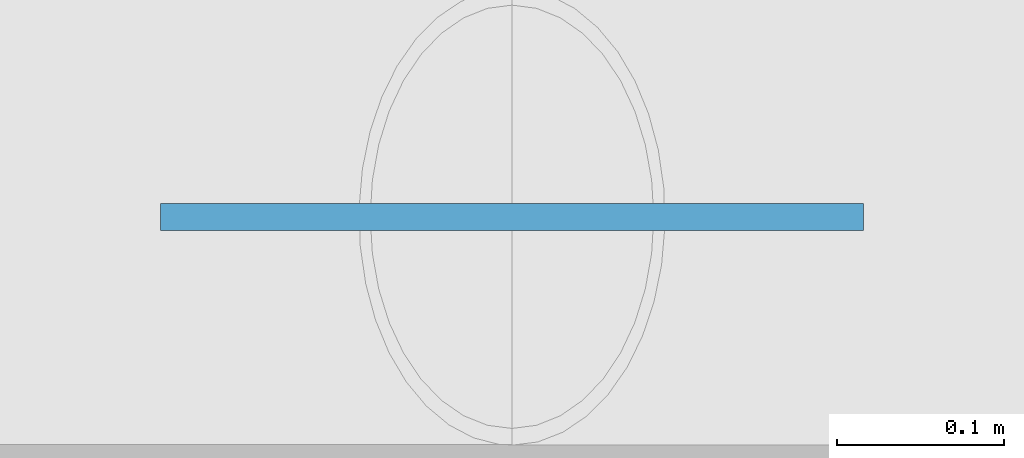
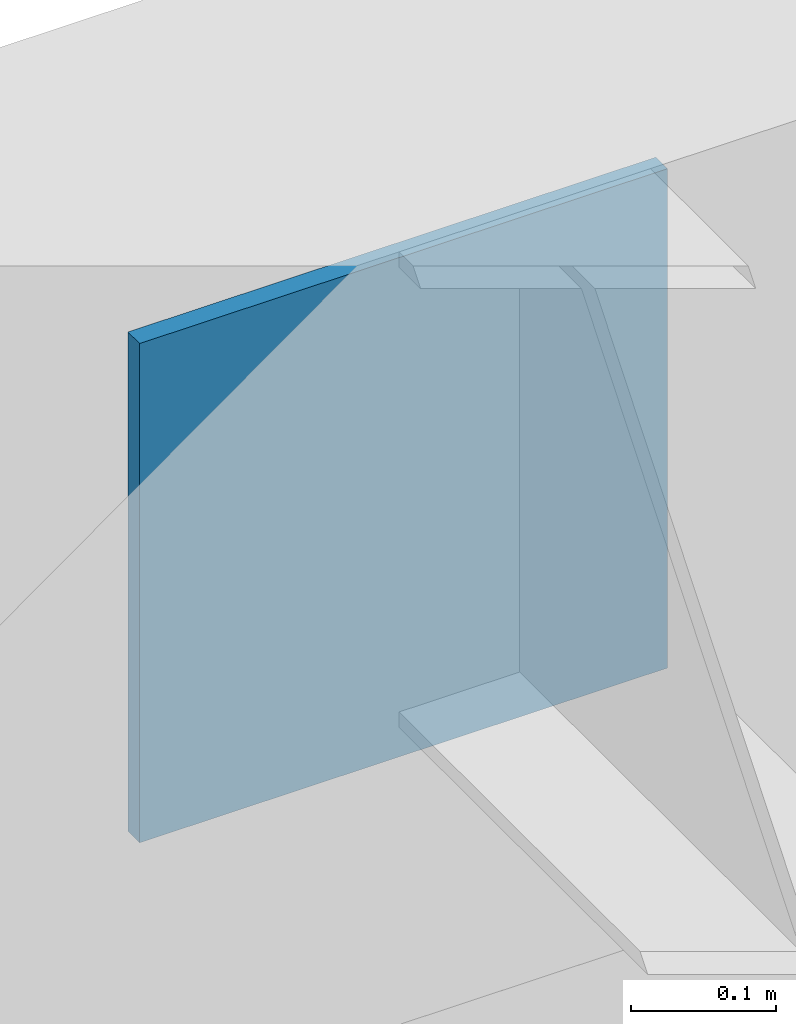
# One storey, part 18 of 40: 1 plate.
"""IFC4 building model written with IfcOpenShell, lengths in metres."""

from ifc_helpers import new_model, si_unit, direction, frame, origin, origin_2d, place, context, subcontext, project, spatial, rectangle, extrude, material, layer, layer_set, type_object, element, save


model = new_model("IFC4")

# Units and contexts
model_context = context("Model", 3, precision=1e-05, world=origin(), true_north=direction((0.0, 1.0)))
body_context = subcontext(model_context, "Body", "Model", "MODEL_VIEW")
ifc_project = project(units=[si_unit("LENGTHUNIT", "METRE"), si_unit("AREAUNIT", "SQUARE_METRE"), si_unit("VOLUMEUNIT", "CUBIC_METRE"), si_unit("PLANEANGLEUNIT", "RADIAN"), si_unit("MASSUNIT", "GRAM", prefix="KILO")], contexts=[model_context])

# Site, building, storey
site_placement = place(None, origin())
site = spatial("IfcSite", under=ifc_project, at=site_placement, CompositionType="ELEMENT")
building_placement = place(site_placement, origin())
building = spatial("IfcBuilding", under=site, at=building_placement, Name="Chengyuan Square Courthouse", CompositionType="ELEMENT")
storey_placement = place(building_placement, frame((0.0, 0.0, 21.60009765625)))
storey = spatial("IfcBuildingStorey", under=building, at=storey_placement, Name="L05", CompositionType="ELEMENT", Elevation=21.60009765625)

# Plate
ifc_material = material(Name="Steel Q355B", Category="steel")
ifc_layer = layer(ifc_material, 0.01611328125)
ifc_layer_set = layer_set([ifc_layer], Name="Steel Q355B")
plate_type = type_object("IfcPlateType", Name="GP-01", PredefinedType="SHEET", material=ifc_layer_set)
plate_placement = place(storey_placement, frame((105.0, 115.199951171875, 3.679931640625), z_axis=(0.0, 0.0, 1.0), x_axis=(1.0, 0.0, 0.0)))
element("IfcPlate", 1, at=plate_placement, inside=storey, type_object=plate_type, Name="Brace Gusset Plate GP-L05-12", PredefinedType="SHEET", context=body_context, shape_type="SweptSolid", body=[
    extrude(rectangle(XDim=0.419921875, YDim=0.01611328125, at=origin_2d()), origin(), (0.0, 0.0, 1.0), 0.419921875),
])

save(model, "model.ifc")
